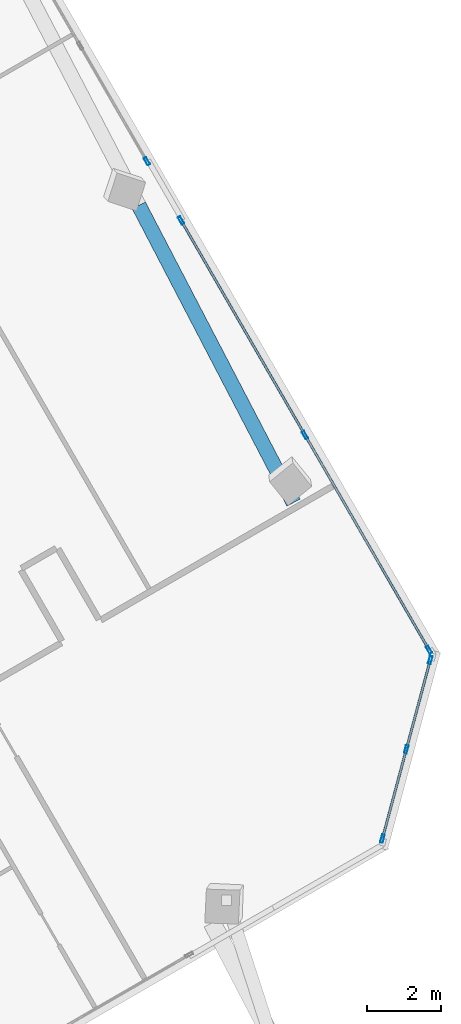
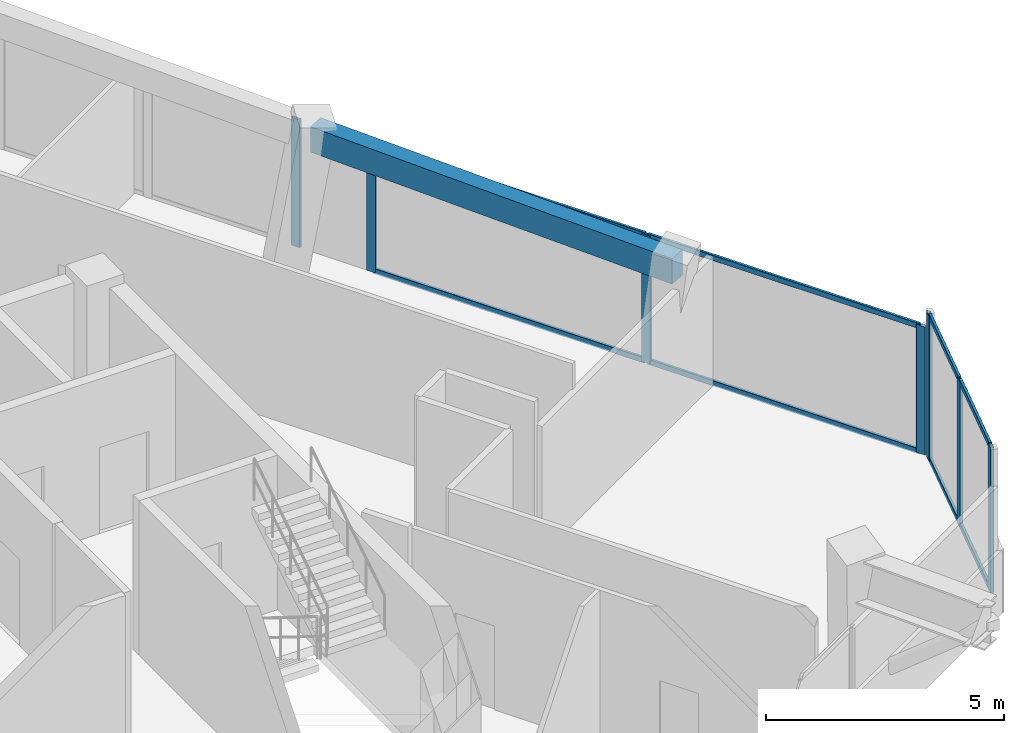
# One storey, part 6 of 15: 15 members, 1 beam, 3 elements without a shape of their own.
"""IFC4 building model written with IfcOpenShell, lengths in metres."""

from ifc_helpers import new_model, si_unit, direction, frame, origin, origin_2d, place, context, subcontext, project, spatial, rectangle, hollow_rectangle, extrude, source, transform, mapped, material, material_profile, profile_set, type_object, element, aggregate, save


model = new_model("IFC4")

# Units and contexts
model_context = context("Model", 3, precision=1e-05, world=origin(), true_north=direction((0.0, 1.0)))
body_context = subcontext(model_context, "Body", "Model", "MODEL_VIEW")
ifc_project = project(units=[si_unit("LENGTHUNIT", "METRE"), si_unit("AREAUNIT", "SQUARE_METRE"), si_unit("VOLUMEUNIT", "CUBIC_METRE"), si_unit("PLANEANGLEUNIT", "RADIAN"), si_unit("MASSUNIT", "GRAM", prefix="KILO")], contexts=[model_context])

# Site, building, storey
site_placement = place(None, origin())
site = spatial("IfcSite", under=ifc_project, at=site_placement, CompositionType="ELEMENT")
building_placement = place(site_placement, origin())
building = spatial("IfcBuilding", under=site, at=building_placement, Name="Torre Montelarca", CompositionType="ELEMENT")
storey_placement = place(building_placement, frame((0.0, 0.0, 324.0)))
storey = spatial("IfcBuildingStorey", under=building, at=storey_placement, Name="L73", CompositionType="ELEMENT", Elevation=324.0)

# Beam
ifc_material_1 = material(Name="Concrete C40/50", Category="concrete")
ifc_material_profile_1 = material_profile(ifc_material_1, rectangle(XDim=0.39990234375, YDim=0.64990234375, at=origin_2d()), Name="RCB400X650", Category="concrete")
ifc_profile_set_1 = profile_set([ifc_material_profile_1], Name="Concrete C40/50")
beam_type = type_object("IfcBeamType", Name="BM-SP-RC650-EXT", PredefinedType="SPANDREL", material=ifc_profile_set_1)
shared_shape_1 = source(origin(), body_context, "Body", "SweptSolid", [
    extrude(rectangle(XDim=0.39990234375, YDim=0.64990234375, at=origin_2d()), origin(), (0.0, 0.0, 1.0), 9.0),
])
beam_placement = place(storey_placement, frame((33.322021484375, 42.10009765625, 3.635009765625), z_axis=(0.461748143991, -0.887011077451, 0.0), x_axis=(0.887011077451, 0.461748143991, 0.0)))
element("IfcBeam", 1, at=beam_placement, inside=storey, type_object=beam_type, Name="L73 Grid Girder X 18.0-27.0 at Y=47.1", PredefinedType="SPANDREL", context=body_context, shape_type="MappedRepresentation", body=[
    mapped(shared_shape_1, transform((0.0, 0.0, 0.0), scale=1.0)),
])

# Curtain wall, members
ifc_material_2 = material(Name="Insulated low-E laminated glass", Category="glass")
curtain_wall_type = type_object("IfcCurtainWallType", Name="CW-SYS-Z4", PredefinedType="USERDEFINED", material=ifc_material_2)
curtain_wall_1_placement = place(storey_placement, origin())
curtain_wall_1 = element("IfcCurtainWall", 2, at=curtain_wall_1_placement, inside=storey, type_object=curtain_wall_type, Name="L73 Curtain Wall Run CW-T3-L73-E07-B1", ObjectType="UNITISED GLAZING", PredefinedType="USERDEFINED")
ifc_material_3 = material(Name="Anodised aluminium AA 6063-T6", Category="aluminium")
ifc_material_profile_2 = material_profile(ifc_material_3, hollow_rectangle(XDim=0.074951171875, YDim=0.219970703125, WallThickness=0.0048828125, InnerFilletRadius=0.0048828125, OuterFilletRadius=0.010009765625, at=origin_2d()), Name="ALU75X220X5", Category="aluminium")
ifc_profile_set_2 = profile_set([ifc_material_profile_2], Name="Anodised aluminium AA 6063-T6")
member_type_1 = type_object("IfcMemberType", Name="CWM-ALU220", PredefinedType="MULLION", material=ifc_profile_set_2)
shared_shape_2 = source(origin(), body_context, "Body", "SweptSolid", [
    extrude(hollow_rectangle(XDim=0.074951171875, YDim=0.219970703125, WallThickness=0.0048828125, InnerFilletRadius=0.0048828125, OuterFilletRadius=0.010009765625, at=origin_2d()), origin(), (0.0, 0.0, 1.0), 3.719970703125),
])
member_1_placement = place(storey_placement, frame((39.86572265625, 25.09326171875, 0.0), z_axis=(0.0, 0.0, 1.0), x_axis=(-0.965926805359, 0.258815391137, 0.0)))
member_1 = element("IfcMember", 3, at=member_1_placement, type_object=member_type_1, Name="CW mullion 1", PredefinedType="MULLION", context=body_context, shape_type="MappedRepresentation", body=[
    mapped(shared_shape_2, transform((0.0, 0.0, 0.0), scale=1.0)),
])
member_2_placement = place(storey_placement, frame((40.508544921875, 27.4921875, 0.0), z_axis=(0.0, 0.0, 1.0), x_axis=(-0.965926805359, 0.258815391137, 0.0)))
member_2 = element("IfcMember", 4, at=member_2_placement, type_object=member_type_1, Name="CW mullion 2", PredefinedType="MULLION", context=body_context, shape_type="MappedRepresentation", body=[
    mapped(shared_shape_2, transform((0.0, 0.0, 0.0), scale=1.0)),
])
member_3_placement = place(storey_placement, frame((41.1513671875, 29.891357421875, 0.0), z_axis=(0.0, 0.0, 1.0), x_axis=(-0.965926805359, 0.258815391137, 0.0)))
member_3 = element("IfcMember", 5, at=member_3_placement, type_object=member_type_1, Name="CW mullion 3", PredefinedType="MULLION", context=body_context, shape_type="MappedRepresentation", body=[
    mapped(shared_shape_2, transform((0.0, 0.0, 0.0), scale=1.0)),
])
ifc_material_profile_3 = material_profile(ifc_material_3, hollow_rectangle(XDim=0.06494140625, YDim=0.139892578125, WallThickness=0.00390625, InnerFilletRadius=0.00390625, OuterFilletRadius=0.008056640625, at=origin_2d()), Name="ALU65X140X4", Category="aluminium")
ifc_profile_set_3 = profile_set([ifc_material_profile_3], Name="Anodised aluminium AA 6063-T6")
member_type_2 = type_object("IfcMemberType", Name="CWT-ALU140", PredefinedType="USERDEFINED", material=ifc_profile_set_3)
shared_shape_3 = source(origin(), body_context, "Body", "SweptSolid", [
    extrude(hollow_rectangle(XDim=0.06494140625, YDim=0.139892578125, WallThickness=0.00390625, InnerFilletRadius=0.00390625, OuterFilletRadius=0.008056640625, at=origin_2d()), origin(), (0.0, 0.0, 1.0), 2.408447265625),
])
member_4_placement = place(storey_placement, frame((39.87548828125, 25.129638671875, 0.032470703125), z_axis=(0.258791820458, 0.965933120699, 0.0), x_axis=(-0.965933120699, 0.258791820458, 0.0)))
member_4 = element("IfcMember", 6, at=member_4_placement, type_object=member_type_2, Name="CW transom 1.1", ObjectType="TRANSOM", PredefinedType="USERDEFINED", context=body_context, shape_type="MappedRepresentation", body=[
    mapped(shared_shape_3, transform((0.0, 0.0, 0.0), scale=1.0)),
])
member_5_placement = place(storey_placement, frame((39.87548828125, 25.129638671875, 3.6875), z_axis=(0.258791820458, 0.965933120699, 0.0), x_axis=(-0.965933120699, 0.258791820458, 0.0)))
member_5 = element("IfcMember", 7, at=member_5_placement, type_object=member_type_2, Name="CW transom 1.2", ObjectType="TRANSOM", PredefinedType="USERDEFINED", context=body_context, shape_type="MappedRepresentation", body=[
    mapped(shared_shape_3, transform((0.0, 0.0, 0.0), scale=1.0)),
])
member_6_placement = place(storey_placement, frame((40.518310546875, 27.528564453125, 0.032470703125), z_axis=(0.258791820458, 0.965933120699, 0.0), x_axis=(-0.965933120699, 0.258791820458, 0.0)))
member_6 = element("IfcMember", 8, at=member_6_placement, type_object=member_type_2, Name="CW transom 2.1", ObjectType="TRANSOM", PredefinedType="USERDEFINED", context=body_context, shape_type="MappedRepresentation", body=[
    mapped(shared_shape_3, transform((0.0, 0.0, 0.0), scale=1.0)),
])
member_7_placement = place(storey_placement, frame((40.518310546875, 27.528564453125, 3.6875), z_axis=(0.258791820458, 0.965933120699, 0.0), x_axis=(-0.965933120699, 0.258791820458, 0.0)))
member_7 = element("IfcMember", 9, at=member_7_placement, type_object=member_type_2, Name="CW transom 2.2", ObjectType="TRANSOM", PredefinedType="USERDEFINED", context=body_context, shape_type="MappedRepresentation", body=[
    mapped(shared_shape_3, transform((0.0, 0.0, 0.0), scale=1.0)),
])
aggregate(curtain_wall_1, [member_1, member_2, member_3, member_4, member_5, member_6, member_7])

curtain_wall_2_placement = place(storey_placement, origin())
curtain_wall_2 = element("IfcCurtainWall", 10, at=curtain_wall_2_placement, inside=storey, type_object=curtain_wall_type, Name="L73 Curtain Wall Run CW-T3-L73-E08-B1", ObjectType="UNITISED GLAZING", PredefinedType="USERDEFINED")
shared_shape_4 = source(origin(), body_context, "Body", "SweptSolid", [
    extrude(hollow_rectangle(XDim=0.074951171875, YDim=0.219970703125, WallThickness=0.0048828125, InnerFilletRadius=0.0048828125, OuterFilletRadius=0.010009765625, at=origin_2d()), origin(), (0.0, 0.0, 1.0), 3.27490234375),
])
member_8_placement = place(storey_placement, frame((41.115234375, 30.165283203125, 0.0), z_axis=(0.0, 0.0, 1.0), x_axis=(-0.866025774274, -0.499999358293, 0.0)))
member_8 = element("IfcMember", 11, at=member_8_placement, type_object=member_type_1, Name="CW mullion 1", PredefinedType="MULLION", context=body_context, shape_type="MappedRepresentation", body=[
    mapped(shared_shape_4, transform((0.0, 0.0, 0.0), scale=1.0)),
])
member_9_placement = place(storey_placement, frame((37.78662109375, 35.9306640625, 0.0), z_axis=(0.0, 0.0, 1.0), x_axis=(-0.866025774274, -0.499999358293, 0.0)))
member_9 = element("IfcMember", 12, at=member_9_placement, type_object=member_type_1, Name="CW mullion 2", PredefinedType="MULLION", context=body_context, shape_type="MappedRepresentation", body=[
    mapped(shared_shape_4, transform((0.0, 0.0, 0.0), scale=1.0)),
])
member_10_placement = place(storey_placement, frame((34.457763671875, 41.6962890625, 0.0), z_axis=(0.0, 0.0, 1.0), x_axis=(-0.866025774274, -0.499999358293, 0.0)))
member_10 = element("IfcMember", 13, at=member_10_placement, type_object=member_type_1, Name="CW mullion 3", PredefinedType="MULLION", context=body_context, shape_type="MappedRepresentation", body=[
    mapped(shared_shape_4, transform((0.0, 0.0, 0.0), scale=1.0)),
])

# Curtain wall, member
curtain_wall_3_placement = place(storey_placement, origin())
curtain_wall_3 = element("IfcCurtainWall", 14, at=curtain_wall_3_placement, inside=storey, type_object=curtain_wall_type, Name="L73 Curtain Wall Run CW-T3-L73-E08-B2", ObjectType="UNITISED GLAZING", PredefinedType="USERDEFINED")
member_11_placement = place(storey_placement, frame((33.540283203125, 43.285400390625, 0.0), z_axis=(0.0, 0.0, 1.0), x_axis=(-0.866026229865, -0.499998569184, 0.0)))
member_11 = element("IfcMember", 15, at=member_11_placement, type_object=member_type_1, Name="CW mullion 1", PredefinedType="MULLION", context=body_context, shape_type="MappedRepresentation", body=[
    mapped(shared_shape_4, transform((0.0, 0.0, 0.0), scale=1.0)),
])
aggregate(curtain_wall_3, [member_11])

# Member
shared_shape_5 = source(origin(), body_context, "Body", "SweptSolid", [
    extrude(hollow_rectangle(XDim=0.06494140625, YDim=0.139892578125, WallThickness=0.00390625, InnerFilletRadius=0.00390625, OuterFilletRadius=0.008056640625, at=origin_2d()), origin(), (0.0, 0.0, 1.0), 6.582275390625),
])
member_12_placement = place(storey_placement, frame((41.0966796875, 30.19775390625, 0.032470703125), z_axis=(-0.500012477951, 0.866018199516, 0.0), x_axis=(-0.866018199516, -0.500012477951, 0.0)))
member_12 = element("IfcMember", 16, at=member_12_placement, type_object=member_type_2, Name="CW transom 1.1", ObjectType="TRANSOM", PredefinedType="USERDEFINED", context=body_context, shape_type="MappedRepresentation", body=[
    mapped(shared_shape_5, transform((0.0, 0.0, 0.0), scale=1.0)),
])

member_13_placement = place(storey_placement, frame((41.0966796875, 30.19775390625, 3.242431640625), z_axis=(-0.500012477951, 0.866018199516, 0.0), x_axis=(-0.866018199516, -0.500012477951, 0.0)))
member_13 = element("IfcMember", 17, at=member_13_placement, type_object=member_type_2, Name="CW transom 1.2", ObjectType="TRANSOM", PredefinedType="USERDEFINED", context=body_context, shape_type="MappedRepresentation", body=[
    mapped(shared_shape_5, transform((0.0, 0.0, 0.0), scale=1.0)),
])

shared_shape_6 = source(origin(), body_context, "Body", "SweptSolid", [
    extrude(hollow_rectangle(XDim=0.06494140625, YDim=0.139892578125, WallThickness=0.00390625, InnerFilletRadius=0.00390625, OuterFilletRadius=0.008056640625, at=origin_2d()), origin(), (0.0, 0.0, 1.0), 6.58251953125),
])
member_14_placement = place(storey_placement, frame((37.767822265625, 35.963134765625, 0.032470703125), z_axis=(-0.499996417602, 0.866027472073, 0.0), x_axis=(-0.866027472073, -0.499996417602, 0.0)))
member_14 = element("IfcMember", 18, at=member_14_placement, type_object=member_type_2, Name="CW transom 2.1", ObjectType="TRANSOM", PredefinedType="USERDEFINED", context=body_context, shape_type="MappedRepresentation", body=[
    mapped(shared_shape_6, transform((0.0, 0.0, 0.0), scale=1.0)),
])

member_15_placement = place(storey_placement, frame((37.767822265625, 35.963134765625, 3.242431640625), z_axis=(-0.499996417602, 0.866027472073, 0.0), x_axis=(-0.866027472073, -0.499996417602, 0.0)))
member_15 = element("IfcMember", 19, at=member_15_placement, type_object=member_type_2, Name="CW transom 2.2", ObjectType="TRANSOM", PredefinedType="USERDEFINED", context=body_context, shape_type="MappedRepresentation", body=[
    mapped(shared_shape_6, transform((0.0, 0.0, 0.0), scale=1.0)),
])

aggregate(curtain_wall_2, [member_8, member_9, member_10, member_12, member_13, member_14, member_15])

save(model, "model.ifc")
